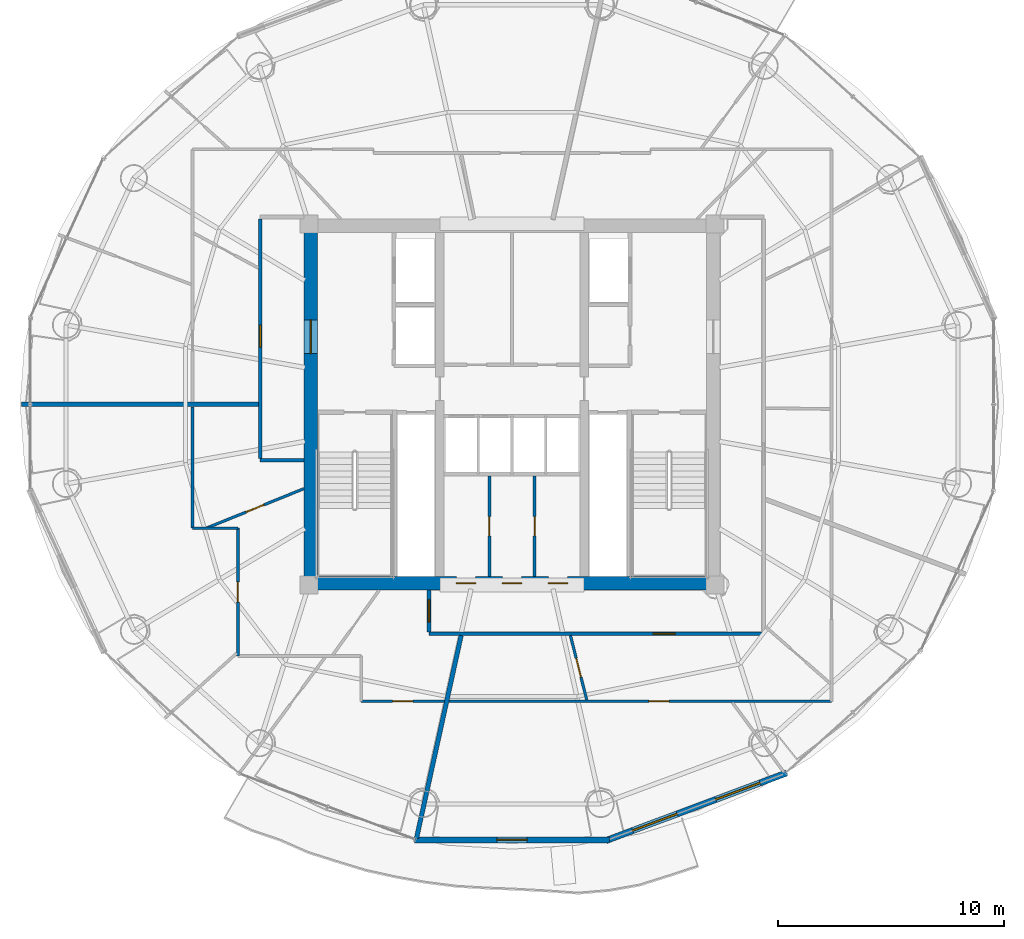
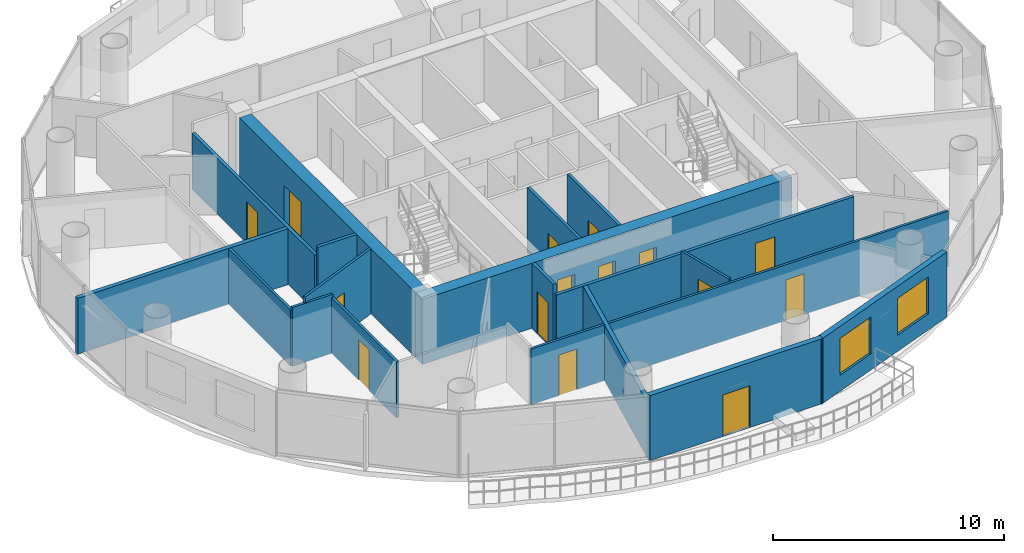
# One storey, part 20 of 26: 19 walls, 15 doors, 2 windows, 17 openings.
"""IFC4 building model written with IfcOpenShell, lengths in metres."""

from ifc_helpers import new_model, si_unit, direction, frame, frame_2d, origin, place, context, subcontext, project, spatial, rectangle, extrude, source, transform, mapped, material, layer, layer_set, type_object, element, fill, save


model = new_model("IFC4")

# Units and contexts
model_context = context("Model", 3, precision=1e-05, world=origin(), true_north=direction((-0.2419218956, 0.970295726276)))
body_context = subcontext(model_context, "Body", "Model", "MODEL_VIEW")
ifc_project = project(units=[si_unit("LENGTHUNIT", "METRE"), si_unit("AREAUNIT", "SQUARE_METRE"), si_unit("VOLUMEUNIT", "CUBIC_METRE"), si_unit("PLANEANGLEUNIT", "RADIAN"), si_unit("MASSUNIT", "GRAM", prefix="KILO")], contexts=[model_context])

# Site, building, storey
site_placement = place(None, origin())
site = spatial("IfcSite", under=ifc_project, at=site_placement, CompositionType="ELEMENT")
building_placement = place(site_placement, origin())
building = spatial("IfcBuilding", under=site, at=building_placement, Name="Cobrevalo Terracotta Tower", CompositionType="ELEMENT")
storey_placement = place(building_placement, frame((0.0, 0.0, 235.60009765625)))
storey = spatial("IfcBuildingStorey", under=building, at=storey_placement, Name="L62", CompositionType="ELEMENT", Elevation=235.60009765625)

# Wall, openings, doors
ifc_material_1 = material(Name="Concrete C55", Category="concrete")
ifc_layer_1 = layer(ifc_material_1, 0.60009765625)
ifc_layer_set_1 = layer_set([ifc_layer_1], Name="Concrete C55")
wall_type_1 = type_object("IfcWallType", Name="Core shear wall 600 mm Concrete C55", PredefinedType="SHEAR", material=ifc_layer_set_1)
wall_1_placement = place(storey_placement, frame((28.77490234375, 18.875, 0.0), z_axis=(0.0, 0.0, 1.0), x_axis=(1.0, 0.0, 0.0)))
wall_1 = element("IfcWall", 1, at=wall_1_placement, inside=storey, type_object=wall_type_1, Name="L62 south core shear wall", PredefinedType="SHEAR", context=body_context, shape_type="SweptSolid", body=[
    extrude(rectangle(XDim=18.4501953125, YDim=0.60009765625, at=frame_2d((9.22509765625, 0.0))), origin(), (0.0, 0.0, 1.0), 3.434814453125),
])
opening_1_placement = place(wall_1_placement, frame((6.760009765625, 0.0, 0.0)))
opening_1 = element("IfcOpeningElement", 2, at=opening_1_placement, cuts=wall_1, Name="Opening ID-22", PredefinedType="OPENING", context=body_context, shape_type="SweptSolid", body=[
    extrude(rectangle(XDim=0.85009765625, YDim=2.10009765625, at=frame_2d((0.425048828125, 1.050048828125))), frame((0.0, 0.31005859375, 0.0), z_axis=(0.0, -1.0, 0.0), x_axis=(1.0, 0.0, 0.0)), (0.0, 0.0, 1.0), 0.6201171875),
])
opening_2_placement = place(wall_1_placement, frame((8.800048828125, 0.0, 0.0)))
opening_2 = element("IfcOpeningElement", 3, at=opening_2_placement, cuts=wall_1, Name="Opening ID-22", PredefinedType="OPENING", context=body_context, shape_type="SweptSolid", body=[
    extrude(rectangle(XDim=0.85009765625, YDim=2.10009765625, at=frame_2d((0.425048828125, 1.050048828125))), frame((0.0, 0.31005859375, 0.0), z_axis=(0.0, -1.0, 0.0), x_axis=(1.0, 0.0, 0.0)), (0.0, 0.0, 1.0), 0.6201171875),
])
opening_3_placement = place(wall_1_placement, frame((10.840087890625, 0.0, 0.0)))
opening_3 = element("IfcOpeningElement", 4, at=opening_3_placement, cuts=wall_1, Name="Opening ID-22", PredefinedType="OPENING", context=body_context, shape_type="SweptSolid", body=[
    extrude(rectangle(XDim=0.85009765625, YDim=2.10009765625, at=frame_2d((0.425048828125, 1.050048828125))), frame((0.0, 0.31005859375, 0.0), z_axis=(0.0, -1.0, 0.0), x_axis=(1.0, 0.0, 0.0)), (0.0, 0.0, 1.0), 0.6201171875),
])
ifc_material_2 = material(Name="Powder-coated steel", Category="steel")
door_type_1 = type_object("IfcDoorType", Name="Riser shaft & meter closet fire access door 850x2100 EI 60", OperationType="NOTDEFINED", PredefinedType="DOOR", material=ifc_material_2)
shared_shape_1 = source(origin(), body_context, "Body", "SweptSolid", [
    extrude(rectangle(XDim=0.85009765625, YDim=2.10009765625, at=frame_2d((0.425048828125, 1.050048828125))), frame((0.0, 0.02490234375, 0.0), z_axis=(0.0, -1.0, 0.0), x_axis=(1.0, 0.0, 0.0)), (0.0, 0.0, 1.0), 0.050048828125),
])
door_1_placement = place(opening_1_placement, origin())
door_1 = element("IfcDoor", 5, at=door_1_placement, inside=storey, type_object=door_type_1, Name="L62 core south plant door HVAC Supply Air Plant", OperationType="SINGLE_SWING_RIGHT", OverallHeight=2.10009765625, OverallWidth=0.85009765625, PredefinedType="DOOR", context=body_context, shape_type="MappedRepresentation", body=[
    mapped(shared_shape_1, transform((0.0, 0.0, 0.0), scale=1.0)),
])
fill(opening_1, door_1)
door_2_placement = place(opening_2_placement, origin())
door_2 = element("IfcDoor", 6, at=door_2_placement, inside=storey, type_object=door_type_1, Name="L62 core south plant door Refuse Chute Store Room", OperationType="SINGLE_SWING_RIGHT", OverallHeight=2.10009765625, OverallWidth=0.85009765625, PredefinedType="DOOR", context=body_context, shape_type="MappedRepresentation", body=[
    mapped(shared_shape_1, transform((0.0, 0.0, 0.0), scale=1.0)),
])
fill(opening_2, door_2)
door_3_placement = place(opening_3_placement, origin())
door_3 = element("IfcDoor", 7, at=door_3_placement, inside=storey, type_object=door_type_1, Name="L62 core south plant door Hydronic Pump Manifold Plant", OperationType="SINGLE_SWING_RIGHT", OverallHeight=2.10009765625, OverallWidth=0.85009765625, PredefinedType="DOOR", context=body_context, shape_type="MappedRepresentation", body=[
    mapped(shared_shape_1, transform((0.0, 0.0, 0.0), scale=1.0)),
])
fill(opening_3, door_3)

# Wall, opening, door
wall_2_placement = place(storey_placement, frame((29.074951171875, 19.175048828125, 0.0), z_axis=(0.0, 0.0, 1.0), x_axis=(0.0, 1.0, 0.0)))
wall_2 = element("IfcWall", 8, at=wall_2_placement, inside=storey, type_object=wall_type_1, Name="L62 west core shear wall", PredefinedType="SHEAR", context=body_context, shape_type="SweptSolid", body=[
    extrude(rectangle(XDim=15.25, YDim=0.60009765625, at=frame_2d((7.625, 0.0))), origin(), (0.0, 0.0, 1.0), 3.434814453125),
])
opening_4_placement = place(wall_2_placement, frame((9.875, 0.0, 0.0)))
opening_4 = element("IfcOpeningElement", 9, at=opening_4_placement, cuts=wall_2, Name="Opening ID-14", PredefinedType="OPENING", context=body_context, shape_type="SweptSolid", body=[
    extrude(rectangle(XDim=1.5, YDim=2.199951171875, at=frame_2d((0.75, 1.10009765625))), frame((0.0, 0.31005859375, 0.0), z_axis=(0.0, -1.0, 0.0), x_axis=(1.0, 0.0, 0.0)), (0.0, 0.0, 1.0), 0.6201171875),
])
ifc_material_3 = material(Name="Galvanized fire-rated steel", Category="steel")
door_type_2 = type_object("IfcDoorType", Name="Core cross-lobby double fire door 1500x2200 EI 90", OperationType="NOTDEFINED", PredefinedType="DOOR", material=ifc_material_3)
shared_shape_2 = source(origin(), body_context, "Body", "SweptSolid", [
    extrude(rectangle(XDim=1.5, YDim=2.199951171875, at=frame_2d((0.75, 1.10009765625))), frame((0.0, 0.02490234375, 0.0), z_axis=(0.0, -1.0, 0.0), x_axis=(1.0, 0.0, 0.0)), (0.0, 0.0, 1.0), 0.050048828125),
])
door_4_placement = place(opening_4_placement, origin())
door_4 = element("IfcDoor", 10, at=door_4_placement, inside=storey, type_object=door_type_2, Name="L62 west firefighting lobby entrance door", OperationType="DOUBLE_DOOR_SINGLE_SWING", OverallHeight=2.199951171875, OverallWidth=1.5, PredefinedType="DOOR", context=body_context, shape_type="MappedRepresentation", body=[
    mapped(shared_shape_2, transform((0.0, 0.0, 0.0), scale=1.0)),
])
fill(opening_4, door_4)

ifc_material_4 = material(Name="Gypsum board on steel stud", Category="steel")
ifc_layer_2 = layer(ifc_material_4, 0.159912109375)
ifc_layer_set_2 = layer_set([ifc_layer_2], Name="Gypsum board on steel stud")
wall_type_2 = type_object("IfcWallType", Name="Fire-rated corridor acoustic partition wall 160 mm", PredefinedType="PARTITIONING", material=ifc_layer_set_2)
wall_3_placement = place(storey_placement, frame((26.844970703125, 24.39990234375, 0.0), z_axis=(0.0, 0.0, 1.0), x_axis=(0.0, 1.0, 0.0)))
wall_3 = element("IfcWall", 11, at=wall_3_placement, inside=storey, type_object=wall_type_2, Name="L62 interior partition IW-L62-COR-W", PredefinedType="PARTITIONING", context=body_context, shape_type="SweptSolid", body=[
    extrude(rectangle(XDim=10.625, YDim=0.159912109375, at=frame_2d((5.3125, 0.0))), origin(), (0.0, 0.0, 1.0), 2.950927734375),
])
opening_5_placement = place(wall_3_placement, frame((4.93603515625, 0.0, 0.0)))
opening_5 = element("IfcOpeningElement", 12, at=opening_5_placement, cuts=wall_3, Name="Opening ID-05", PredefinedType="OPENING", context=body_context, shape_type="SweptSolid", body=[
    extrude(rectangle(XDim=0.97998046875, YDim=2.199951171875, at=frame_2d((0.489990234375, 1.10009765625))), frame((0.0, 0.08984375, 0.0), z_axis=(0.0, -1.0, 0.0), x_axis=(1.0, 0.0, 0.0)), (0.0, 0.0, 1.0), 0.179931640625),
])
ifc_material_5 = material(Name="Solid hardwood timber", Category="wood")
door_type_3 = type_object("IfcDoorType", Name="Residence entrance fire-rated acoustic timber door 980x2200 EI 60", OperationType="NOTDEFINED", PredefinedType="DOOR", material=ifc_material_5)
shared_shape_3 = source(origin(), body_context, "Body", "SweptSolid", [
    extrude(rectangle(XDim=0.97998046875, YDim=2.199951171875, at=frame_2d((0.489990234375, 1.10009765625))), frame((0.0, 0.02490234375, 0.0), z_axis=(0.0, -1.0, 0.0), x_axis=(1.0, 0.0, 0.0)), (0.0, 0.0, 1.0), 0.050048828125),
])
door_5_placement = place(opening_5_placement, origin())
door_5 = element("IfcDoor", 13, at=door_5_placement, inside=storey, type_object=door_type_3, Name="Flat L62B fire-rated apartment entrance door", OperationType="SINGLE_SWING_LEFT", OverallHeight=2.199951171875, OverallWidth=0.97998046875, PredefinedType="DOOR", context=body_context, shape_type="MappedRepresentation", body=[
    mapped(shared_shape_3, transform((0.0, 0.0, 0.0), scale=1.0)),
])
fill(opening_5, door_5)

# Wall
wall_4_placement = place(storey_placement, frame((26.844970703125, 24.320068359375, 0.0), z_axis=(0.0, 0.0, 1.0), x_axis=(1.0, 0.0, 0.0)))
element("IfcWall", 14, at=wall_4_placement, inside=storey, type_object=wall_type_2, Name="L62 interior partition IW-L62-COR-WS-CAP", PredefinedType="PARTITIONING", context=body_context, shape_type="SweptSolid", body=[
    extrude(rectangle(XDim=1.929931640625, YDim=0.159912109375, at=frame_2d((0.96484375, 0.0))), origin(), (0.0, 0.0, 1.0), 3.434814453125),
])

# Wall, opening, door
wall_5_placement = place(storey_placement, frame((34.320068359375, 16.64501953125, 0.0), z_axis=(0.0, 0.0, 1.0), x_axis=(1.0, 0.0, 0.0)))
wall_5 = element("IfcWall", 15, at=wall_5_placement, inside=storey, type_object=wall_type_2, Name="L62 interior partition IW-L62-COR-S", PredefinedType="PARTITIONING", context=body_context, shape_type="SweptSolid", body=[
    extrude(rectangle(XDim=14.8349609375, YDim=0.159912109375, at=frame_2d((7.41748046875, 0.0))), origin(), (0.0, 0.0, 1.0), 2.950927734375),
])
opening_6_placement = place(wall_5_placement, frame((9.927734375, 0.0, 0.0)))
opening_6 = element("IfcOpeningElement", 16, at=opening_6_placement, cuts=wall_5, Name="Opening ID-05", PredefinedType="OPENING", context=body_context, shape_type="SweptSolid", body=[
    extrude(rectangle(XDim=0.97998046875, YDim=2.199951171875, at=frame_2d((0.489990234375, 1.10009765625))), frame((0.0, 0.08984375, 0.0), z_axis=(0.0, -1.0, 0.0), x_axis=(1.0, 0.0, 0.0)), (0.0, 0.0, 1.0), 0.179931640625),
])
door_6_placement = place(opening_6_placement, frame((0.97998046875, 0.0, 0.0), z_axis=(0.0, 0.0, 1.0), x_axis=(-1.0, 0.0, 0.0)))
door_6 = element("IfcDoor", 17, at=door_6_placement, inside=storey, type_object=door_type_3, Name="Flat L62D fire-rated apartment entrance door", OperationType="SINGLE_SWING_RIGHT", OverallHeight=2.199951171875, OverallWidth=0.97998046875, PredefinedType="DOOR", context=body_context, shape_type="MappedRepresentation", body=[
    mapped(shared_shape_3, transform((0.0, 0.0, 0.0), scale=1.0)),
])
fill(opening_6, door_6)

wall_6_placement = place(storey_placement, frame((34.320068359375, 16.72509765625, 0.0), z_axis=(0.0, 0.0, 1.0), x_axis=(0.0, 1.0, 0.0)))
wall_6 = element("IfcWall", 18, at=wall_6_placement, inside=storey, type_object=wall_type_2, Name="L62 interior partition IW-L62-COR-SW-CAP", PredefinedType="PARTITIONING", context=body_context, shape_type="SweptSolid", body=[
    extrude(rectangle(XDim=1.849853515625, YDim=0.159912109375, at=frame_2d((0.9248046875, 0.0))), origin(), (0.0, 0.0, 1.0), 3.434814453125),
])
opening_7_placement = place(wall_6_placement, frame((0.43505859375, 0.0, 0.0)))
opening_7 = element("IfcOpeningElement", 19, at=opening_7_placement, cuts=wall_6, Name="Opening ID-05", PredefinedType="OPENING", context=body_context, shape_type="SweptSolid", body=[
    extrude(rectangle(XDim=0.97998046875, YDim=2.199951171875, at=frame_2d((0.489990234375, 1.10009765625))), frame((0.0, 0.08984375, 0.0), z_axis=(0.0, -1.0, 0.0), x_axis=(1.0, 0.0, 0.0)), (0.0, 0.0, 1.0), 0.179931640625),
])
door_7_placement = place(opening_7_placement, origin())
door_7 = element("IfcDoor", 20, at=door_7_placement, inside=storey, type_object=door_type_3, Name="Flat L62C fire-rated apartment entrance door", OperationType="SINGLE_SWING_RIGHT", OverallHeight=2.199951171875, OverallWidth=0.97998046875, PredefinedType="DOOR", context=body_context, shape_type="MappedRepresentation", body=[
    mapped(shared_shape_3, transform((0.0, 0.0, 0.0), scale=1.0)),
])
fill(opening_7, door_7)

# Walls
ifc_material_6 = material(Name="Autoclaved aerated concrete block", Category="concrete")
ifc_layer_3 = layer(ifc_material_6, 0.199951171875)
ifc_layer_set_3 = layer_set([ifc_layer_3], Name="Autoclaved aerated concrete block")
wall_type_3 = type_object("IfcWallType", Name="Fire-rated stair, shaft & demising masonry wall 200 mm", PredefinedType="PARTITIONING", material=ifc_layer_set_3)
wall_7_placement = place(storey_placement, frame((26.764892578125, 26.800048828125, 0.0), z_axis=(0.0, 0.0, 1.0), x_axis=(-1.0, 0.0, 0.0)))
element("IfcWall", 21, at=wall_7_placement, inside=storey, type_object=wall_type_3, Name="L62 interior partition IW-L62-DEM-3", PredefinedType="PARTITIONING", context=body_context, shape_type="SweptSolid", body=[
    extrude(rectangle(XDim=10.5048828125, YDim=0.199951171875, at=frame_2d((5.25244140625, 0.0))), origin(), (0.0, 0.0, 1.0), 2.950927734375),
])
wall_8_placement = place(storey_placement, frame((35.7470703125, 16.56494140625, 0.0), z_axis=(0.0, 0.0, 1.0), x_axis=(-0.214957946814, -0.976623305631, 0.0)))
element("IfcWall", 22, at=wall_8_placement, inside=storey, type_object=wall_type_3, Name="L62 interior partition IW-L62-DEM-4", PredefinedType="PARTITIONING", context=body_context, shape_type="SweptSolid", body=[
    extrude(rectangle(XDim=9.201904296875, YDim=0.199951171875, at=frame_2d((4.60107421875, 0.0))), origin(), (0.0, 0.0, 1.0), 2.950927734375),
])

# Wall, openings, windows
ifc_layer_4 = layer(ifc_material_6, 0.280029296875)
ifc_layer_set_4 = layer_set([ifc_layer_4], Name="Autoclaved aerated concrete block")
wall_type_4 = type_object("IfcWallType", Name="Insulated tower spandrel & pier wall 280 mm with terracotta rainscreen", PredefinedType="SOLIDWALL", material=ifc_layer_set_4)
wall_9_placement = place(storey_placement, frame((42.172119140625, 7.47998046875, 0.0), z_axis=(0.0, 0.0, 1.0), x_axis=(0.936556918375, 0.350515532672, 0.0)))
wall_9 = element("IfcWall", 23, at=wall_9_placement, inside=storey, type_object=wall_type_4, Name="L62 terracotta rainscreen pier wall S13", PredefinedType="SOLIDWALL", context=body_context, shape_type="SweptSolid", body=[
    extrude(rectangle(XDim=8.539306640625, YDim=0.280029296875, at=frame_2d((4.26953125, 0.0))), origin(), (0.0, 0.0, 1.0), 3.434814453125),
])
opening_8_placement = place(wall_9_placement, frame((1.255615234375, 0.0, 0.85009765625)))
opening_8 = element("IfcOpeningElement", 24, at=opening_8_placement, cuts=wall_9, Name="Opening WN-10", PredefinedType="OPENING", context=body_context, shape_type="SweptSolid", body=[
    extrude(rectangle(XDim=2.10009765625, YDim=1.949951171875, at=frame_2d((1.050048828125, 0.97509765625))), frame((0.0, 0.14990234375, 0.0), z_axis=(0.0, -1.0, 0.0), x_axis=(1.0, 0.0, 0.0)), (0.0, 0.0, 1.0), 0.300048828125),
])
opening_9_placement = place(wall_9_placement, frame((5.18359375, 0.0, 0.85009765625)))
opening_9 = element("IfcOpeningElement", 25, at=opening_9_placement, cuts=wall_9, Name="Opening WN-10", PredefinedType="OPENING", context=body_context, shape_type="SweptSolid", body=[
    extrude(rectangle(XDim=2.10009765625, YDim=1.949951171875, at=frame_2d((1.050048828125, 0.97509765625))), frame((0.0, 0.14990234375, 0.0), z_axis=(0.0, -1.0, 0.0), x_axis=(1.0, 0.0, 0.0)), (0.0, 0.0, 1.0), 0.300048828125),
])
ifc_material_7 = material(Name="Solar-control low-E double glazing", Category="glass")
window_type = type_object("IfcWindowType", Name="Wide panoramic low-E aluminium window 2100x1950", PartitioningType="SINGLE_PANEL", PredefinedType="WINDOW", material=ifc_material_7)
shared_shape_4 = source(origin(), body_context, "Body", "SweptSolid", [
    extrude(rectangle(XDim=2.10009765625, YDim=1.949951171875, at=frame_2d((1.050048828125, 0.97509765625))), frame((0.0, 0.030029296875, 0.0), z_axis=(0.0, -1.0, 0.0), x_axis=(1.0, 0.0, 0.0)), (0.0, 0.0, 1.0), 0.06005859375),
])
window_1_placement = place(opening_8_placement, origin())
window_1 = element("IfcWindow", 26, at=window_1_placement, inside=storey, type_object=window_type, Name="L62 suite window S13A", OverallHeight=1.949951171875, OverallWidth=2.10009765625, PartitioningType="SINGLE_PANEL", PredefinedType="WINDOW", context=body_context, shape_type="MappedRepresentation", body=[
    mapped(shared_shape_4, transform((0.0, 0.0, 0.0), scale=1.0)),
])
fill(opening_8, window_1)
window_2_placement = place(opening_9_placement, origin())
window_2 = element("IfcWindow", 27, at=window_2_placement, inside=storey, type_object=window_type, Name="L62 suite window S13B", OverallHeight=1.949951171875, OverallWidth=2.10009765625, PartitioningType="SINGLE_PANEL", PredefinedType="WINDOW", context=body_context, shape_type="MappedRepresentation", body=[
    mapped(shared_shape_4, transform((0.0, 0.0, 0.0), scale=1.0)),
])
fill(opening_9, window_2)

# Wall, opening, door
ifc_layer_5 = layer(ifc_material_6, 0.139892578125)
ifc_layer_set_5 = layer_set([ifc_layer_5], Name="Autoclaved aerated concrete block")
wall_type_5 = type_object("IfcWallType", Name="Moisture-resistant wet-room & core service partition 140 mm", PredefinedType="PARTITIONING", material=ifc_layer_set_5)
wall_10_placement = place(storey_placement, frame((37.0, 19.175048828125, 0.0), z_axis=(0.0, 0.0, 1.0), x_axis=(0.0, 1.0, 0.0)))
wall_10 = element("IfcWall", 28, at=wall_10_placement, inside=storey, type_object=wall_type_5, Name="L62 interior partition IW-L62-KVS-V1", PredefinedType="PARTITIONING", context=body_context, shape_type="SweptSolid", body=[
    extrude(rectangle(XDim=4.46484375, YDim=0.139892578125, at=frame_2d((2.232421875, 0.0))), origin(), (0.0, 0.0, 1.0), 3.434814453125),
])
opening_10_placement = place(wall_10_placement, frame((1.8076171875, 0.0, 0.0)))
opening_10 = element("IfcOpeningElement", 29, at=opening_10_placement, cuts=wall_10, Name="Opening ID-22", PredefinedType="OPENING", context=body_context, shape_type="SweptSolid", body=[
    extrude(rectangle(XDim=0.85009765625, YDim=2.10009765625, at=frame_2d((0.425048828125, 1.050048828125))), frame((0.0, 0.080078125, 0.0), z_axis=(0.0, -1.0, 0.0), x_axis=(1.0, 0.0, 0.0)), (0.0, 0.0, 1.0), 0.159912109375),
])
door_8_placement = place(opening_10_placement, origin())
door_8 = element("IfcDoor", 30, at=door_8_placement, inside=storey, type_object=door_type_1, Name="L62 core KVS-V1 inner door", OperationType="SINGLE_SWING_LEFT", OverallHeight=2.10009765625, OverallWidth=0.85009765625, PredefinedType="DOOR", context=body_context, shape_type="MappedRepresentation", body=[
    mapped(shared_shape_1, transform((0.0, 0.0, 0.0), scale=1.0)),
])
fill(opening_10, door_8)

wall_11_placement = place(storey_placement, frame((39.0, 19.175048828125, 0.0), z_axis=(0.0, 0.0, 1.0), x_axis=(0.0, 1.0, 0.0)))
wall_11 = element("IfcWall", 31, at=wall_11_placement, inside=storey, type_object=wall_type_5, Name="L62 interior partition IW-L62-KVS-V2", PredefinedType="PARTITIONING", context=body_context, shape_type="SweptSolid", body=[
    extrude(rectangle(XDim=4.46484375, YDim=0.139892578125, at=frame_2d((2.232421875, 0.0))), origin(), (0.0, 0.0, 1.0), 3.434814453125),
])
opening_11_placement = place(wall_11_placement, frame((1.8076171875, 0.0, 0.0)))
opening_11 = element("IfcOpeningElement", 32, at=opening_11_placement, cuts=wall_11, Name="Opening ID-22", PredefinedType="OPENING", context=body_context, shape_type="SweptSolid", body=[
    extrude(rectangle(XDim=0.85009765625, YDim=2.10009765625, at=frame_2d((0.425048828125, 1.050048828125))), frame((0.0, 0.080078125, 0.0), z_axis=(0.0, -1.0, 0.0), x_axis=(1.0, 0.0, 0.0)), (0.0, 0.0, 1.0), 0.159912109375),
])
door_9_placement = place(opening_11_placement, origin())
door_9 = element("IfcDoor", 33, at=door_9_placement, inside=storey, type_object=door_type_1, Name="L62 core KVS-V2 inner door", OperationType="SINGLE_SWING_LEFT", OverallHeight=2.10009765625, OverallWidth=0.85009765625, PredefinedType="DOOR", context=body_context, shape_type="MappedRepresentation", body=[
    mapped(shared_shape_1, transform((0.0, 0.0, 0.0), scale=1.0)),
])
fill(opening_11, door_9)

ifc_layer_6 = layer(ifc_material_6, 0.260009765625)
ifc_layer_set_6 = layer_set([ifc_layer_6], Name="Autoclaved aerated concrete block")
wall_type_6 = type_object("IfcWallType", Name="Recessed balcony loggia insulated exterior wall 260 mm", PredefinedType="SOLIDWALL", material=ifc_layer_set_6)
wall_12_placement = place(storey_placement, frame((33.6728515625, 7.508056640625, 0.0), z_axis=(0.0, 0.0, 1.0), x_axis=(1.0, 0.0, 0.0)))
wall_12 = element("IfcWall", 34, at=wall_12_placement, inside=storey, type_object=wall_type_6, Name="L62 balcony loggia wall S12", PredefinedType="SOLIDWALL", context=body_context, shape_type="SweptSolid", body=[
    extrude(rectangle(XDim=8.654296875, YDim=0.260009765625, at=frame_2d((4.3271484375, 0.0))), origin(), (0.0, 0.0, 1.0), 3.434814453125),
])
opening_12_placement = place(wall_12_placement, frame((3.652099609375, 0.0, 0.0)))
opening_12 = element("IfcOpeningElement", 35, at=opening_12_placement, cuts=wall_12, Name="Opening ED-05", PredefinedType="OPENING", context=body_context, shape_type="SweptSolid", body=[
    extrude(rectangle(XDim=1.35009765625, YDim=2.199951171875, at=frame_2d((0.675048828125, 1.10009765625))), frame((0.0, 0.14013671875, 0.0), z_axis=(0.0, -1.0, 0.0), x_axis=(1.0, 0.0, 0.0)), (0.0, 0.0, 1.0), 0.280029296875),
])
ifc_material_8 = material(Name="Anodized aluminium and laminated glass", Category="aluminium")
door_type_4 = type_object("IfcDoorType", Name="Suite balcony acoustic glazed terrace door 1350x2200", OperationType="NOTDEFINED", PredefinedType="DOOR", material=ifc_material_8)
shared_shape_5 = source(origin(), body_context, "Body", "SweptSolid", [
    extrude(rectangle(XDim=1.35009765625, YDim=2.199951171875, at=frame_2d((0.675048828125, 1.10009765625))), frame((0.0, 0.02490234375, 0.0), z_axis=(0.0, -1.0, 0.0), x_axis=(1.0, 0.0, 0.0)), (0.0, 0.0, 1.0), 0.050048828125),
])
door_10_placement = place(opening_12_placement, frame((1.35009765625, 0.0, 0.0), z_axis=(0.0, 0.0, 1.0), x_axis=(-1.0, 0.0, 0.0)))
door_10 = element("IfcDoor", 36, at=door_10_placement, inside=storey, type_object=door_type_4, Name="L62 glazed balcony terrace door 2", OperationType="SINGLE_SWING_RIGHT", OverallHeight=2.199951171875, OverallWidth=1.35009765625, PredefinedType="DOOR", context=body_context, shape_type="MappedRepresentation", body=[
    mapped(shared_shape_5, transform((0.0, 0.0, 0.0), scale=1.0)),
])
fill(opening_12, door_10)

ifc_layer_7 = layer(ifc_material_4, 0.1201171875)
ifc_layer_set_7 = layer_set([ifc_layer_7], Name="Gypsum board on steel stud")
wall_type_7 = type_object("IfcWallType", Name="Residential internal acoustic stud partition 120 mm", PredefinedType="PARTITIONING", material=ifc_layer_set_7)
wall_13_placement = place(storey_placement, frame((35.00244140625, 13.64501953125, 0.0), z_axis=(0.0, 0.0, 1.0), x_axis=(-1.0, 0.0, 0.0)))
wall_13 = element("IfcWall", 37, at=wall_13_placement, inside=storey, type_object=wall_type_7, Name="L62 interior partition IW-L62-U3-RING0_0", PredefinedType="PARTITIONING", context=body_context, shape_type="SweptSolid", body=[
    extrude(rectangle(XDim=3.682373046875, YDim=0.1201171875, at=frame_2d((1.84130859375, 0.0))), origin(), (0.0, 0.0, 1.0), 2.950927734375),
])
opening_13_placement = place(wall_13_placement, frame((1.39111328125, 0.0, 0.0)))
opening_13 = element("IfcOpeningElement", 38, at=opening_13_placement, cuts=wall_13, Name="Opening ID-12", PredefinedType="OPENING", context=body_context, shape_type="SweptSolid", body=[
    extrude(rectangle(XDim=0.89990234375, YDim=2.14990234375, at=frame_2d((0.449951171875, 1.074951171875))), frame((0.0, 0.070068359375, 0.0), z_axis=(0.0, -1.0, 0.0), x_axis=(1.0, 0.0, 0.0)), (0.0, 0.0, 1.0), 0.14013671875),
])
ifc_material_9 = material(Name="Engineered timber", Category="wood")
door_type_5 = type_object("IfcDoorType", Name="Internal residence & suite timber door 900x2150", OperationType="NOTDEFINED", PredefinedType="DOOR", material=ifc_material_9)
shared_shape_6 = source(origin(), body_context, "Body", "SweptSolid", [
    extrude(rectangle(XDim=0.89990234375, YDim=2.14990234375, at=frame_2d((0.449951171875, 1.074951171875))), frame((0.0, 0.02490234375, 0.0), z_axis=(0.0, -1.0, 0.0), x_axis=(1.0, 0.0, 0.0)), (0.0, 0.0, 1.0), 0.050048828125),
])
door_11_placement = place(opening_13_placement, origin())
door_11 = element("IfcDoor", 39, at=door_11_placement, inside=storey, type_object=door_type_5, Name="Flat L62C Penthouse Family Lounge internal door", OperationType="SINGLE_SWING_LEFT", OverallHeight=2.14990234375, OverallWidth=0.89990234375, PredefinedType="DOOR", context=body_context, shape_type="MappedRepresentation", body=[
    mapped(shared_shape_6, transform((0.0, 0.0, 0.0), scale=1.0)),
])
fill(opening_13, door_11)

wall_14_placement = place(storey_placement, frame((25.85498046875, 15.655029296875, 0.0), z_axis=(0.0, 0.0, 1.0), x_axis=(0.0, 1.0, 0.0)))
wall_14 = element("IfcWall", 40, at=wall_14_placement, inside=storey, type_object=wall_type_7, Name="L62 interior partition IW-L62-U3-RING3_0", PredefinedType="PARTITIONING", context=body_context, shape_type="SweptSolid", body=[
    extrude(rectangle(XDim=5.6650390625, YDim=0.1201171875, at=frame_2d((2.83251953125, 0.0))), origin(), (0.0, 0.0, 1.0), 2.950927734375),
])
opening_14_placement = place(wall_14_placement, frame((2.382568359375, 0.0, 0.0)))
opening_14 = element("IfcOpeningElement", 41, at=opening_14_placement, cuts=wall_14, Name="Opening ID-12", PredefinedType="OPENING", context=body_context, shape_type="SweptSolid", body=[
    extrude(rectangle(XDim=0.89990234375, YDim=2.14990234375, at=frame_2d((0.449951171875, 1.074951171875))), frame((0.0, 0.070068359375, 0.0), z_axis=(0.0, -1.0, 0.0), x_axis=(1.0, 0.0, 0.0)), (0.0, 0.0, 1.0), 0.14013671875),
])
door_12_placement = place(opening_14_placement, origin())
door_12 = element("IfcDoor", 42, at=door_12_placement, inside=storey, type_object=door_type_5, Name="Flat L62C Penthouse Living and Dining Room internal door", OperationType="SINGLE_SWING_LEFT", OverallHeight=2.14990234375, OverallWidth=0.89990234375, PredefinedType="DOOR", context=body_context, shape_type="MappedRepresentation", body=[
    mapped(shared_shape_6, transform((0.0, 0.0, 0.0), scale=1.0)),
])
fill(opening_14, door_12)

# Walls
wall_15_placement = place(storey_placement, frame((25.85498046875, 21.320068359375, 0.0), z_axis=(0.0, 0.0, 1.0), x_axis=(-1.0, 0.0, 0.0)))
element("IfcWall", 43, at=wall_15_placement, inside=storey, type_object=wall_type_7, Name="L62 interior partition IW-L62-U3-RING4_0", PredefinedType="PARTITIONING", context=body_context, shape_type="SweptSolid", body=[
    extrude(rectangle(XDim=2.010009765625, YDim=0.1201171875, at=frame_2d((1.0048828125, 0.0))), origin(), (0.0, 0.0, 1.0), 3.10986328125),
])
wall_16_placement = place(storey_placement, frame((23.844970703125, 21.320068359375, 0.0), z_axis=(0.0, 0.0, 1.0), x_axis=(0.0, 1.0, 0.0)))
element("IfcWall", 44, at=wall_16_placement, inside=storey, type_object=wall_type_7, Name="L62 interior partition IW-L62-U3-RING5_0", PredefinedType="PARTITIONING", context=body_context, shape_type="SweptSolid", body=[
    extrude(rectangle(XDim=5.3779296875, YDim=0.1201171875, at=frame_2d((2.68896484375, 0.0))), origin(), (0.0, 0.0, 1.0), 2.950927734375),
])

# Wall, opening, door
wall_17_placement = place(storey_placement, frame((28.77490234375, 23.066650390625, 0.0), z_axis=(0.0, 0.0, 1.0), x_axis=(-0.926979373422, -0.375112304851, 0.0)))
wall_17 = element("IfcWall", 45, at=wall_17_placement, inside=storey, type_object=wall_type_7, Name="L62 interior partition IW-L62-U3-IRAD1", PredefinedType="PARTITIONING", context=body_context, shape_type="SweptSolid", body=[
    extrude(rectangle(XDim=4.65625, YDim=0.1201171875, at=frame_2d((2.328125, 0.0))), origin(), (0.0, 0.0, 1.0), 3.434814453125),
])
opening_15_placement = place(wall_17_placement, frame((1.898193359375, 0.0, 0.0)))
opening_15 = element("IfcOpeningElement", 46, at=opening_15_placement, cuts=wall_17, Name="Opening ID-19", PredefinedType="OPENING", context=body_context, shape_type="SweptSolid", body=[
    extrude(rectangle(XDim=0.860107421875, YDim=2.14990234375, at=frame_2d((0.43017578125, 1.074951171875))), frame((0.0, 0.070068359375, 0.0), z_axis=(0.0, -1.0, 0.0), x_axis=(1.0, 0.0, 0.0)), (0.0, 0.0, 1.0), 0.14013671875),
])
ifc_material_10 = material(Name="Moisture-sealed timber", Category="wood")
door_type_6 = type_object("IfcDoorType", Name="Suite bathroom internal timber door 860x2150", OperationType="NOTDEFINED", PredefinedType="DOOR", material=ifc_material_10)
shared_shape_7 = source(origin(), body_context, "Body", "SweptSolid", [
    extrude(rectangle(XDim=0.860107421875, YDim=2.14990234375, at=frame_2d((0.43017578125, 1.074951171875))), frame((0.0, 0.02490234375, 0.0), z_axis=(0.0, -1.0, 0.0), x_axis=(1.0, 0.0, 0.0)), (0.0, 0.0, 1.0), 0.050048828125),
])
door_13_placement = place(opening_15_placement, frame((0.860107421875, 0.0, 0.0), z_axis=(0.0, 0.0, 1.0), x_axis=(-1.0, 0.0, 0.0)))
door_13 = element("IfcDoor", 47, at=door_13_placement, inside=storey, type_object=door_type_6, Name="Flat L62C Primary Bathroom internal door", OperationType="SINGLE_SWING_RIGHT", OverallHeight=2.14990234375, OverallWidth=0.860107421875, PredefinedType="DOOR", context=body_context, shape_type="MappedRepresentation", body=[
    mapped(shared_shape_7, transform((0.0, 0.0, 0.0), scale=1.0)),
])
fill(opening_15, door_13)

wall_18_placement = place(storey_placement, frame((52.155029296875, 13.64501953125, 0.0), z_axis=(0.0, 0.0, 1.0), x_axis=(-1.0, 0.0, 0.0)))
wall_18 = element("IfcWall", 48, at=wall_18_placement, inside=storey, type_object=wall_type_7, Name="L62 interior partition IW-L62-U4-RING1_0", PredefinedType="PARTITIONING", context=body_context, shape_type="SweptSolid", body=[
    extrude(rectangle(XDim=16.94873046875, YDim=0.1201171875, at=frame_2d((8.474365234375, 0.0))), origin(), (0.0, 0.0, 1.0), 2.950927734375),
])
opening_16_placement = place(wall_18_placement, frame((7.1923828125, 0.0, 0.0)))
opening_16 = element("IfcOpeningElement", 49, at=opening_16_placement, cuts=wall_18, Name="Opening ID-12", PredefinedType="OPENING", context=body_context, shape_type="SweptSolid", body=[
    extrude(rectangle(XDim=0.89990234375, YDim=2.14990234375, at=frame_2d((0.449951171875, 1.074951171875))), frame((0.0, 0.070068359375, 0.0), z_axis=(0.0, -1.0, 0.0), x_axis=(1.0, 0.0, 0.0)), (0.0, 0.0, 1.0), 0.14013671875),
])
door_14_placement = place(opening_16_placement, origin())
door_14 = element("IfcDoor", 50, at=door_14_placement, inside=storey, type_object=door_type_5, Name="Flat L62D Living and Dining Room internal door", OperationType="SINGLE_SWING_RIGHT", OverallHeight=2.14990234375, OverallWidth=0.89990234375, PredefinedType="DOOR", context=body_context, shape_type="MappedRepresentation", body=[
    mapped(shared_shape_6, transform((0.0, 0.0, 0.0), scale=1.0)),
])
fill(opening_16, door_14)

wall_19_placement = place(storey_placement, frame((40.588623046875, 16.56494140625, 0.0), z_axis=(0.0, 0.0, 1.0), x_axis=(0.245222005641, -0.969466950416, 0.0)))
wall_19 = element("IfcWall", 51, at=wall_19_placement, inside=storey, type_object=wall_type_7, Name="L62 interior partition IW-L62-U4-IRAD1", PredefinedType="PARTITIONING", context=body_context, shape_type="SweptSolid", body=[
    extrude(rectangle(XDim=2.949951171875, YDim=0.1201171875, at=frame_2d((1.47509765625, 0.0))), origin(), (0.0, 0.0, 1.0), 3.10986328125),
])
opening_17_placement = place(wall_19_placement, frame((1.044921875, 0.0, 0.0)))
opening_17 = element("IfcOpeningElement", 52, at=opening_17_placement, cuts=wall_19, Name="Opening ID-19", PredefinedType="OPENING", context=body_context, shape_type="SweptSolid", body=[
    extrude(rectangle(XDim=0.860107421875, YDim=2.14990234375, at=frame_2d((0.43017578125, 1.074951171875))), frame((0.0, 0.070068359375, 0.0), z_axis=(0.0, -1.0, 0.0), x_axis=(1.0, 0.0, 0.0)), (0.0, 0.0, 1.0), 0.14013671875),
])
door_15_placement = place(opening_17_placement, frame((0.860107421875, 0.0, 0.0), z_axis=(0.0, 0.0, 1.0), x_axis=(-1.0, 0.0, 0.0)))
door_15 = element("IfcDoor", 53, at=door_15_placement, inside=storey, type_object=door_type_6, Name="Flat L62D Primary Bathroom internal door", OperationType="SINGLE_SWING_LEFT", OverallHeight=2.14990234375, OverallWidth=0.860107421875, PredefinedType="DOOR", context=body_context, shape_type="MappedRepresentation", body=[
    mapped(shared_shape_7, transform((0.0, 0.0, 0.0), scale=1.0)),
])
fill(opening_17, door_15)

save(model, "model.ifc")
